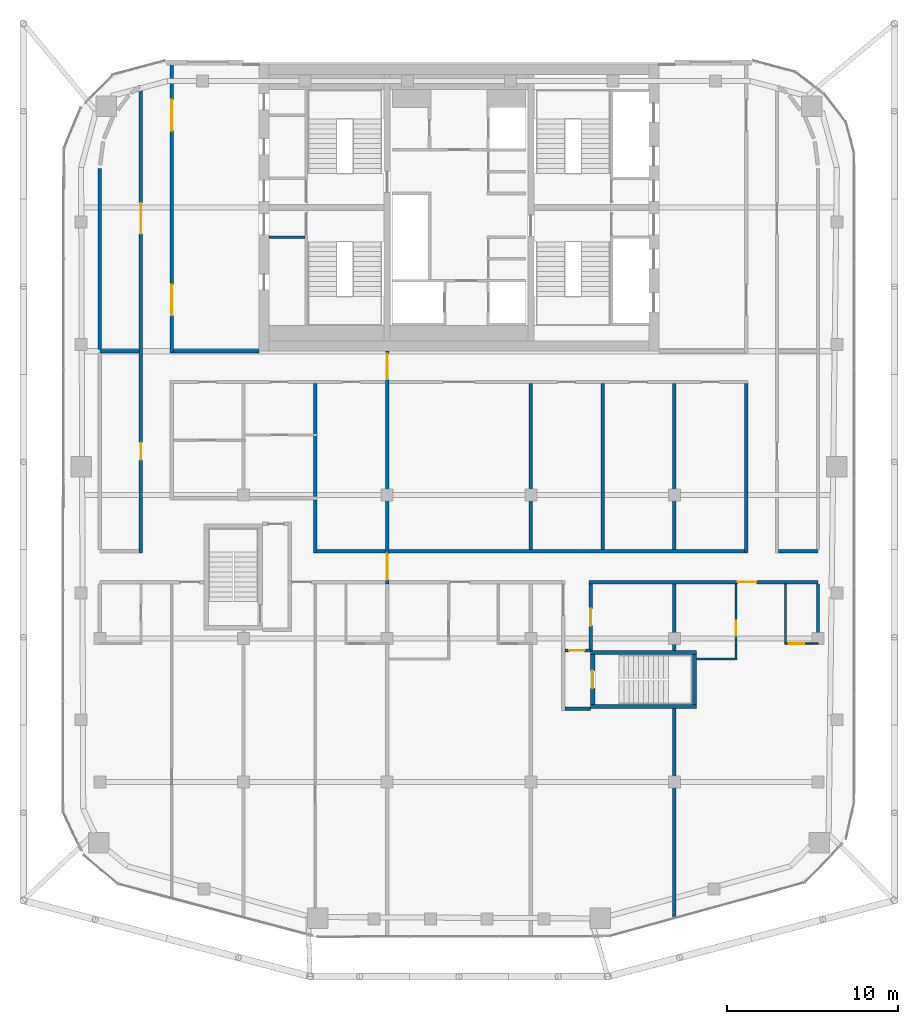
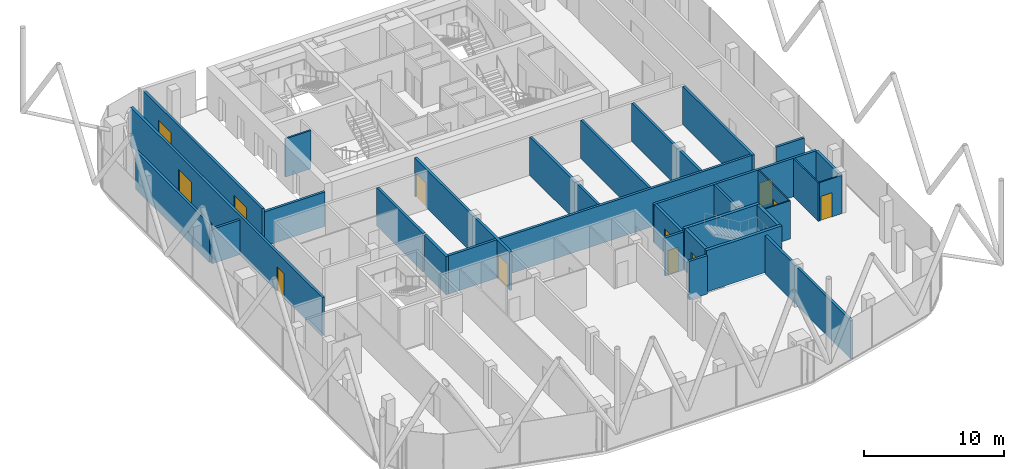
# One storey, part 22 of 27: 30 walls, 12 doors, 12 openings.
"""IFC4 building model written with IfcOpenShell, lengths in metres."""

from ifc_helpers import new_model, si_unit, direction, frame, frame_2d, origin, place, context, subcontext, project, spatial, rectangle, extrude, material, layer, layer_set, type_object, element, fill, save


model = new_model("IFC4")

# Units and contexts
model_context = context("Model", 3, precision=1e-05, world=origin(), true_north=direction((0.0, 1.0)))
body_context = subcontext(model_context, "Body", "Model", "MODEL_VIEW")
ifc_project = project(units=[si_unit("LENGTHUNIT", "METRE"), si_unit("AREAUNIT", "SQUARE_METRE"), si_unit("VOLUMEUNIT", "CUBIC_METRE"), si_unit("PLANEANGLEUNIT", "RADIAN"), si_unit("MASSUNIT", "GRAM", prefix="KILO")], contexts=[model_context])

# Site, building, storey
site_placement = place(None, origin())
site = spatial("IfcSite", under=ifc_project, at=site_placement, CompositionType="ELEMENT")
building_placement = place(site_placement, origin())
building = spatial("IfcBuilding", under=site, at=building_placement, Name="Marenta Gate Hotel Tower", CompositionType="ELEMENT")
storey_placement = place(building_placement, frame((0.0, 0.0, 270.5)))
storey = spatial("IfcBuildingStorey", under=building, at=storey_placement, Name="L62", CompositionType="ELEMENT", Elevation=270.5)

# Wall, openings, doors
ifc_material_1 = material(Name="Concrete blockwork", Category="masonry")
ifc_layer_1 = layer(ifc_material_1, 0.199951171875)
ifc_layer_set_1 = layer_set([ifc_layer_1], Name="Concrete blockwork")
wall_type_1 = type_object("IfcWallType", Name="Compartment wall 200 REI 180", PredefinedType="PARTITIONING", material=ifc_layer_set_1)
wall_1_placement = place(storey_placement, frame((-4.199951171875, -13.60009765625, 0.0), z_axis=(0.0, 0.0, 1.0), x_axis=(0.0, 1.0, 0.0)))
wall_1 = element("IfcWall", 1, at=wall_1_placement, inside=storey, type_object=wall_type_1, Name="L62-PTN-W041", PredefinedType="PARTITIONING", context=body_context, shape_type="SweptSolid", body=[
    extrude(rectangle(XDim=13.60009765625, YDim=0.199951171875, at=frame_2d((6.800048828125, 0.0))), origin(), (0.0, 0.0, 1.0), 3.340087890625),
])
opening_1_placement = place(wall_1_placement, frame((11.949951171875, 0.0, 0.0)))
opening_1 = element("IfcOpeningElement", 2, at=opening_1_placement, cuts=wall_1, Name="Opening G23-FD1", PredefinedType="OPENING", context=body_context, shape_type="SweptSolid", body=[
    extrude(rectangle(XDim=1.5, YDim=2.10009765625, at=frame_2d((0.75, 1.050048828125))), frame((0.0, 0.10009765625, 0.0), z_axis=(0.0, -1.0, 0.0), x_axis=(1.0, 0.0, 0.0)), (0.0, 0.0, 1.0), 0.199951171875),
])
opening_2_placement = place(wall_1_placement, frame((0.25, 0.0, 0.0)))
opening_2 = element("IfcOpeningElement", 3, at=opening_2_placement, cuts=wall_1, Name="Opening G23-FD2", PredefinedType="OPENING", context=body_context, shape_type="SweptSolid", body=[
    extrude(rectangle(XDim=1.5, YDim=2.10009765625, at=frame_2d((0.75, 1.050048828125))), frame((0.0, 0.10009765625, 0.0), z_axis=(0.0, -1.0, 0.0), x_axis=(1.0, 0.0, 0.0)), (0.0, 0.0, 1.0), 0.199951171875),
])
ifc_material_2 = material(Name="Hollow steel door set", Category="steel")
door_type_1 = type_object("IfcDoorType", Name="Compartment fire door 1500x2100 EI 60", OperationType="DOUBLE_DOOR_DOUBLE_SWING", PredefinedType="DOOR", material=ifc_material_2)
door_1_placement = place(opening_1_placement, origin())
door_1 = element("IfcDoor", 4, at=door_1_placement, inside=storey, type_object=door_type_1, Name="L62-PD-FD01", OperationType="DOUBLE_DOOR_DOUBLE_SWING", OverallHeight=2.10009765625, OverallWidth=1.5, PredefinedType="DOOR", context=body_context, shape_type="SweptSolid", body=[
    extrude(rectangle(XDim=1.5, YDim=2.10009765625, at=frame_2d((0.75, 1.050048828125))), frame((0.0, 0.02490234375, 0.0), z_axis=(0.0, -1.0, 0.0), x_axis=(1.0, 0.0, 0.0)), (0.0, 0.0, 1.0), 0.050048828125),
])
fill(opening_1, door_1)
door_2_placement = place(opening_2_placement, origin())
door_2 = element("IfcDoor", 5, at=door_2_placement, inside=storey, type_object=door_type_1, Name="L62-PD-FD02", OperationType="DOUBLE_DOOR_DOUBLE_SWING", OverallHeight=2.10009765625, OverallWidth=1.5, PredefinedType="DOOR", context=body_context, shape_type="SweptSolid", body=[
    extrude(rectangle(XDim=1.5, YDim=2.10009765625, at=frame_2d((0.75, 1.050048828125))), frame((0.0, 0.02490234375, 0.0), z_axis=(0.0, -1.0, 0.0), x_axis=(1.0, 0.0, 0.0)), (0.0, 0.0, 1.0), 0.050048828125),
])
fill(opening_2, door_2)

ifc_material_3 = material(Name="Concrete blockwork", Category="masonry")
ifc_layer_2 = layer(ifc_material_3, 0.199951171875)
ifc_layer_set_2 = layer_set([ifc_layer_2], Name="Concrete blockwork")
wall_type_2 = type_object("IfcWallType", Name="Core boundary wall 200 REI 180", PredefinedType="PARTITIONING", material=ifc_layer_set_2)
wall_2_placement = place(storey_placement, frame((-16.800048828125, -0.10009765625, 0.0), z_axis=(0.0, 0.0, 1.0), x_axis=(0.0, 1.0, 0.0)))
wall_2 = element("IfcWall", 6, at=wall_2_placement, inside=storey, type_object=wall_type_2, Name="L62-CP-BW-W", PredefinedType="PARTITIONING", context=body_context, shape_type="SweptSolid", body=[
    extrude(rectangle(XDim=17.0, YDim=0.199951171875, at=frame_2d((8.5, 0.0))), origin(), (0.0, 0.0, 1.0), 3.340087890625),
])
opening_3_placement = place(wall_2_placement, frame((2.199951171875, 0.0, 0.0)))
opening_3 = element("IfcOpeningElement", 7, at=opening_3_placement, cuts=wall_2, Name="Opening ED-Wa-B", PredefinedType="OPENING", context=body_context, shape_type="SweptSolid", body=[
    extrude(rectangle(XDim=1.800048828125, YDim=2.10009765625, at=frame_2d((0.89990234375, 1.050048828125))), frame((0.0, 0.10009765625, 0.0), z_axis=(0.0, -1.0, 0.0), x_axis=(1.0, 0.0, 0.0)), (0.0, 0.0, 1.0), 0.199951171875),
])
opening_4_placement = place(wall_2_placement, frame((13.0, 0.0, 0.0)))
opening_4 = element("IfcOpeningElement", 8, at=opening_4_placement, cuts=wall_2, Name="Opening ED-Wb-B", PredefinedType="OPENING", context=body_context, shape_type="SweptSolid", body=[
    extrude(rectangle(XDim=1.800048828125, YDim=2.10009765625, at=frame_2d((0.89990234375, 1.050048828125))), frame((0.0, 0.10009765625, 0.0), z_axis=(0.0, -1.0, 0.0), x_axis=(1.0, 0.0, 0.0)), (0.0, 0.0, 1.0), 0.199951171875),
])
ifc_material_4 = material(Name="Steel", Category="steel")
door_type_2 = type_object("IfcDoorType", Name="Core lobby entrance door 1800x2100 EI 60", OperationType="DOUBLE_DOOR_SINGLE_SWING", PredefinedType="DOOR", material=ifc_material_4)
door_3_placement = place(opening_3_placement, origin())
door_3 = element("IfcDoor", 9, at=door_3_placement, inside=storey, type_object=door_type_2, Name="ED-Wa-B", OperationType="DOUBLE_DOOR_SINGLE_SWING", OverallHeight=2.10009765625, OverallWidth=1.800048828125, PredefinedType="DOOR", context=body_context, shape_type="SweptSolid", body=[
    extrude(rectangle(XDim=1.800048828125, YDim=2.10009765625, at=frame_2d((0.89990234375, 1.050048828125))), frame((0.0, 0.02490234375, 0.0), z_axis=(0.0, -1.0, 0.0), x_axis=(1.0, 0.0, 0.0)), (0.0, 0.0, 1.0), 0.050048828125),
])
fill(opening_3, door_3)
door_4_placement = place(opening_4_placement, origin())
door_4 = element("IfcDoor", 10, at=door_4_placement, inside=storey, type_object=door_type_2, Name="ED-Wb-B", OperationType="DOUBLE_DOOR_SINGLE_SWING", OverallHeight=2.10009765625, OverallWidth=1.800048828125, PredefinedType="DOOR", context=body_context, shape_type="SweptSolid", body=[
    extrude(rectangle(XDim=1.800048828125, YDim=2.10009765625, at=frame_2d((0.89990234375, 1.050048828125))), frame((0.0, 0.02490234375, 0.0), z_axis=(0.0, -1.0, 0.0), x_axis=(1.0, 0.0, 0.0)), (0.0, 0.0, 1.0), 0.050048828125),
])
fill(opening_4, door_4)

# Walls
wall_3_placement = place(storey_placement, frame((-16.699951171875, 0.0, 0.0), z_axis=(0.0, 0.0, 1.0), x_axis=(1.0, 0.0, 0.0)))
element("IfcWall", 11, at=wall_3_placement, inside=storey, type_object=wall_type_2, Name="L62-CP-EW-WS", PredefinedType="PARTITIONING", context=body_context, shape_type="SweptSolid", body=[
    extrude(rectangle(XDim=5.0, YDim=0.199951171875, at=frame_2d((2.5, 0.0))), origin(), (0.0, 0.0, 1.0), 3.0),
])
ifc_material_5 = material(Name="Concrete blockwork", Category="masonry")
ifc_layer_3 = layer(ifc_material_5, 0.14990234375)
ifc_layer_set_3 = layer_set([ifc_layer_3], Name="Concrete blockwork")
wall_type_3 = type_object("IfcWallType", Name="Core room partition 150 REI 180", PredefinedType="PARTITIONING", material=ifc_layer_set_3)
wall_4_placement = place(storey_placement, frame((-11.10009765625, 6.675048828125, 0.0), z_axis=(0.0, 0.0, 1.0), x_axis=(1.0, 0.0, 0.0)))
element("IfcWall", 12, at=wall_4_placement, inside=storey, type_object=wall_type_3, Name="L62-CP-SW-WS-2", PredefinedType="PARTITIONING", context=body_context, shape_type="SweptSolid", body=[
    extrude(rectangle(XDim=2.10009765625, YDim=0.14990234375, at=frame_2d((1.050048828125, 0.0))), origin(), (0.0, 0.0, 1.0), 3.340087890625),
])
ifc_material_6 = material(Name="Concrete C40", Category="concrete")
ifc_layer_4 = layer(ifc_material_6, 0.25)
ifc_layer_set_4 = layer_set([ifc_layer_4], Name="Concrete C40")
wall_type_4 = type_object("IfcWallType", Name="Remote stair enclosure wall 250 REI 180", PredefinedType="SHEAR", material=ifc_layer_set_4)
for number, where, z_axis, x_axis, name in (
    (13, (7.699951171875, -20.77490234375, 0.10009765625), (0.0, 0.0, 1.0), (1.0, 0.0, 0.0), "L62-RS-Z4-1-W1"),
    (14, (7.699951171875, -17.625, 0.10009765625), (0.0, 0.0, 1.0), (1.0, 0.0, 0.0), "L62-RS-Z4-1-W2"),
):
    element("IfcWall", number, at=place(storey_placement, frame(where, z_axis=z_axis, x_axis=x_axis)), inside=storey, type_object=wall_type_4, Name=name, PredefinedType="SHEAR", context=body_context, shape_type="SweptSolid", body=[
        extrude(rectangle(XDim=6.199951171875, YDim=0.25, at=frame_2d((3.10009765625, 0.0))), origin(), (0.0, 0.0, 1.0), 3.599853515625),
    ])

# Wall, opening, door
wall_5_placement = place(storey_placement, frame((7.824951171875, -20.64990234375, 0.10009765625), z_axis=(0.0, 0.0, 1.0), x_axis=(0.0, 1.0, 0.0)))
wall_5 = element("IfcWall", 15, at=wall_5_placement, inside=storey, type_object=wall_type_4, Name="L62-RS-Z4-1-W3", PredefinedType="SHEAR", context=body_context, shape_type="SweptSolid", body=[
    extrude(rectangle(XDim=2.89990234375, YDim=0.25, at=frame_2d((1.449951171875, 0.0))), origin(), (0.0, 0.0, 1.0), 3.599853515625),
])
opening_5_placement = place(wall_5_placement, frame((0.949951171875, 0.0, 0.0)))
opening_5 = element("IfcOpeningElement", 16, at=opening_5_placement, cuts=wall_5, Name="Opening VD", PredefinedType="OPENING", context=body_context, shape_type="SweptSolid", body=[
    extrude(rectangle(XDim=1.0, YDim=2.10009765625, at=frame_2d((0.5, 1.050048828125))), frame((0.0, 0.125, 0.0), z_axis=(0.0, -1.0, 0.0), x_axis=(1.0, 0.0, 0.0)), (0.0, 0.0, 1.0), 0.25),
])
ifc_material_7 = material(Name="Steel", Category="steel")
door_type_3 = type_object("IfcDoorType", Name="Stair vestibule door 1000x2100 FD60", OperationType="SINGLE_SWING_LEFT", PredefinedType="DOOR", material=ifc_material_7)
door_5_placement = place(opening_5_placement, origin())
door_5 = element("IfcDoor", 17, at=door_5_placement, inside=storey, type_object=door_type_3, Name="VD", OperationType="SINGLE_SWING_LEFT", OverallHeight=2.10009765625, OverallWidth=1.0, PredefinedType="DOOR", context=body_context, shape_type="SweptSolid", body=[
    extrude(rectangle(XDim=1.0, YDim=2.10009765625, at=frame_2d((0.5, 1.050048828125))), frame((0.0, 0.02490234375, 0.0), z_axis=(0.0, -1.0, 0.0), x_axis=(1.0, 0.0, 0.0)), (0.0, 0.0, 1.0), 0.050048828125),
])
fill(opening_5, door_5)

# Walls
wall_6_placement = place(storey_placement, frame((13.77490234375, -20.64990234375, 0.10009765625), z_axis=(0.0, 0.0, 1.0), x_axis=(0.0, 1.0, 0.0)))
element("IfcWall", 18, at=wall_6_placement, inside=storey, type_object=wall_type_4, Name="L62-RS-Z4-1-W4", PredefinedType="SHEAR", context=body_context, shape_type="SweptSolid", body=[
    extrude(rectangle(XDim=2.89990234375, YDim=0.25, at=frame_2d((1.449951171875, 0.0))), origin(), (0.0, 0.0, 1.0), 3.599853515625),
])
ifc_material_8 = material(Name="Gypsum board on steel stud", Category="steel")
ifc_layer_5 = layer(ifc_material_8, 0.199951171875)
ifc_layer_set_5 = layer_set([ifc_layer_5], Name="Gypsum board on steel stud")
wall_type_5 = type_object("IfcWallType", Name="Room corridor wall 200 EI 60", PredefinedType="PARTITIONING", material=ifc_layer_set_5)
wall_7_placement = place(storey_placement, frame((21.0, -17.050048828125, 0.0), z_axis=(0.0, 0.0, 1.0), x_axis=(0.0, 1.0, 0.0)))
element("IfcWall", 19, at=wall_7_placement, inside=storey, type_object=wall_type_5, Name="L62-PTN-W001", PredefinedType="PARTITIONING", context=body_context, shape_type="SweptSolid", body=[
    extrude(rectangle(XDim=3.449951171875, YDim=0.199951171875, at=frame_2d((1.72509765625, 0.0))), origin(), (0.0, 0.0, 1.0), 3.340087890625),
])
wall_8_placement = place(storey_placement, frame((16.800048828125, -11.800048828125, 0.0), z_axis=(0.0, 0.0, 1.0), x_axis=(0.0, 1.0, 0.0)))
element("IfcWall", 20, at=wall_8_placement, inside=storey, type_object=wall_type_5, Name="L62-PTN-W013", PredefinedType="PARTITIONING", context=body_context, shape_type="SweptSolid", body=[
    extrude(rectangle(XDim=9.900146484375, YDim=0.199951171875, at=frame_2d((4.9501953125, 0.0))), origin(), (0.0, 0.0, 1.0), 3.340087890625),
])

# Wall, opening, door
wall_9_placement = place(storey_placement, frame((7.60009765625, -13.5, 0.0), z_axis=(0.0, 0.0, 1.0), x_axis=(1.0, 0.0, 0.0)))
wall_9 = element("IfcWall", 21, at=wall_9_placement, inside=storey, type_object=wall_type_5, Name="L62-PTN-W018", PredefinedType="PARTITIONING", context=body_context, shape_type="SweptSolid", body=[
    extrude(rectangle(XDim=13.39990234375, YDim=0.199951171875, at=frame_2d((6.699951171875, 0.0))), origin(), (0.0, 0.0, 1.0), 3.340087890625),
])
opening_6_placement = place(wall_9_placement, frame((8.699951171875, 0.0, 0.0)))
opening_6 = element("IfcOpeningElement", 22, at=opening_6_placement, cuts=wall_9, Name="Opening G23-21", PredefinedType="OPENING", context=body_context, shape_type="SweptSolid", body=[
    extrude(rectangle(XDim=1.10009765625, YDim=2.10009765625, at=frame_2d((0.550048828125, 1.050048828125))), frame((0.0, 0.10009765625, 0.0), z_axis=(0.0, -1.0, 0.0), x_axis=(1.0, 0.0, 0.0)), (0.0, 0.0, 1.0), 0.199951171875),
])
ifc_material_9 = material(Name="Timber door leaf", Category="wood")
door_type_4 = type_object("IfcDoorType", Name="Guest room door 1100x2100 EI 30", OperationType="NOTDEFINED", PredefinedType="DOOR", material=ifc_material_9)
door_6_placement = place(opening_6_placement, origin())
door_6 = element("IfcDoor", 23, at=door_6_placement, inside=storey, type_object=door_type_4, Name="L62-PD-D021", OperationType="SINGLE_SWING_RIGHT", OverallHeight=2.10009765625, OverallWidth=1.10009765625, PredefinedType="DOOR", context=body_context, shape_type="SweptSolid", body=[
    extrude(rectangle(XDim=1.10009765625, YDim=2.10009765625, at=frame_2d((0.550048828125, 1.050048828125))), frame((0.0, 0.02490234375, 0.0), z_axis=(0.0, -1.0, 0.0), x_axis=(1.0, 0.0, 0.0)), (0.0, 0.0, 1.0), 0.050048828125),
])
fill(opening_6, door_6)

# Walls
wall_10_placement = place(storey_placement, frame((-8.300048828125, -11.699951171875, 0.0), z_axis=(0.0, 0.0, 1.0), x_axis=(1.0, 0.0, 0.0)))
element("IfcWall", 24, at=wall_10_placement, inside=storey, type_object=wall_type_5, Name="L62-PTN-W023", PredefinedType="PARTITIONING", context=body_context, shape_type="SweptSolid", body=[
    extrude(rectangle(XDim=25.0, YDim=0.199951171875, at=frame_2d((12.5, 0.0))), origin(), (0.0, 0.0, 1.0), 3.340087890625),
])
wall_11_placement = place(storey_placement, frame((18.699951171875, -11.699951171875, 0.0), z_axis=(0.0, 0.0, 1.0), x_axis=(1.0, 0.0, 0.0)))
element("IfcWall", 25, at=wall_11_placement, inside=storey, type_object=wall_type_5, Name="L62-PTN-W024", PredefinedType="PARTITIONING", context=body_context, shape_type="SweptSolid", body=[
    extrude(rectangle(XDim=2.300048828125, YDim=0.199951171875, at=frame_2d((1.14990234375, 0.0))), origin(), (0.0, 0.0, 1.0), 3.340087890625),
])

# Wall, opening, door
wall_12_placement = place(storey_placement, frame((7.699951171875, -17.5, 0.0), z_axis=(0.0, 0.0, 1.0), x_axis=(0.0, 1.0, 0.0)))
wall_12 = element("IfcWall", 26, at=wall_12_placement, inside=storey, type_object=wall_type_5, Name="L62-PTN-W028", PredefinedType="PARTITIONING", context=body_context, shape_type="SweptSolid", body=[
    extrude(rectangle(XDim=3.89990234375, YDim=0.199951171875, at=frame_2d((1.949951171875, 0.0))), origin(), (0.0, 0.0, 1.0), 3.340087890625),
])
opening_7_placement = place(wall_12_placement, frame((1.449951171875, 0.0, 0.0)))
opening_7 = element("IfcOpeningElement", 27, at=opening_7_placement, cuts=wall_12, Name="Opening G23-29", PredefinedType="OPENING", context=body_context, shape_type="SweptSolid", body=[
    extrude(rectangle(XDim=1.0, YDim=2.10009765625, at=frame_2d((0.5, 1.050048828125))), frame((0.0, 0.10009765625, 0.0), z_axis=(0.0, -1.0, 0.0), x_axis=(1.0, 0.0, 0.0)), (0.0, 0.0, 1.0), 0.199951171875),
])
ifc_material_10 = material(Name="Timber door leaf", Category="wood")
door_type_5 = type_object("IfcDoorType", Name="Room amenity door 1000x2100 EI 30", OperationType="NOTDEFINED", PredefinedType="DOOR", material=ifc_material_10)
door_7_placement = place(opening_7_placement, origin())
door_7 = element("IfcDoor", 28, at=door_7_placement, inside=storey, type_object=door_type_5, Name="L62-PD-D029", OperationType="SINGLE_SWING_LEFT", OverallHeight=2.10009765625, OverallWidth=1.0, PredefinedType="DOOR", context=body_context, shape_type="SweptSolid", body=[
    extrude(rectangle(XDim=1.0, YDim=2.10009765625, at=frame_2d((0.5, 1.050048828125))), frame((0.0, 0.02490234375, 0.0), z_axis=(0.0, -1.0, 0.0), x_axis=(1.0, 0.0, 0.0)), (0.0, 0.0, 1.0), 0.050048828125),
])
fill(opening_7, door_7)

# Wall
wall_13_placement = place(storey_placement, frame((-8.39990234375, -11.800048828125, 0.0), z_axis=(0.0, 0.0, 1.0), x_axis=(0.0, 1.0, 0.0)))
element("IfcWall", 29, at=wall_13_placement, inside=storey, type_object=wall_type_5, Name="L62-PTN-W044", PredefinedType="PARTITIONING", context=body_context, shape_type="SweptSolid", body=[
    extrude(rectangle(XDim=3.10009765625, YDim=0.199951171875, at=frame_2d((1.550048828125, 0.0))), origin(), (0.0, 0.0, 1.0), 3.340087890625),
])

# Wall, openings, doors
wall_14_placement = place(storey_placement, frame((-18.60009765625, -11.800048828125, 0.0), z_axis=(0.0, 0.0, 1.0), x_axis=(0.0, 1.0, 0.0)))
wall_14 = element("IfcWall", 30, at=wall_14_placement, inside=storey, type_object=wall_type_5, Name="L62-PTN-W053", PredefinedType="PARTITIONING", context=body_context, shape_type="SweptSolid", body=[
    extrude(rectangle(XDim=27.3359375, YDim=0.199951171875, at=frame_2d((13.66796875, 0.0))), origin(), (0.0, 0.0, 1.0), 3.340087890625),
])
opening_8_placement = place(wall_14_placement, frame((18.66796875, 0.0, 0.0)))
opening_8 = element("IfcOpeningElement", 31, at=opening_8_placement, cuts=wall_14, Name="Opening G23-24", PredefinedType="OPENING", context=body_context, shape_type="SweptSolid", body=[
    extrude(rectangle(XDim=1.800048828125, YDim=2.10009765625, at=frame_2d((0.89990234375, 1.050048828125))), frame((0.0, 0.10009765625, 0.0), z_axis=(0.0, -1.0, 0.0), x_axis=(1.0, 0.0, 0.0)), (0.0, 0.0, 1.0), 0.199951171875),
])
opening_9_placement = place(wall_14_placement, frame((5.449951171875, 0.0, 0.0)))
opening_9 = element("IfcOpeningElement", 32, at=opening_9_placement, cuts=wall_14, Name="Opening G23-27", PredefinedType="OPENING", context=body_context, shape_type="SweptSolid", body=[
    extrude(rectangle(XDim=1.0, YDim=2.10009765625, at=frame_2d((0.5, 1.050048828125))), frame((0.0, 0.10009765625, 0.0), z_axis=(0.0, -1.0, 0.0), x_axis=(1.0, 0.0, 0.0)), (0.0, 0.0, 1.0), 0.199951171875),
])
door_8_placement = place(opening_9_placement, origin())
door_8 = element("IfcDoor", 33, at=door_8_placement, inside=storey, type_object=door_type_5, Name="L62-PD-D027", OperationType="SINGLE_SWING_LEFT", OverallHeight=2.10009765625, OverallWidth=1.0, PredefinedType="DOOR", context=body_context, shape_type="SweptSolid", body=[
    extrude(rectangle(XDim=1.0, YDim=2.10009765625, at=frame_2d((0.5, 1.050048828125))), frame((0.0, 0.02490234375, 0.0), z_axis=(0.0, -1.0, 0.0), x_axis=(1.0, 0.0, 0.0)), (0.0, 0.0, 1.0), 0.050048828125),
])
fill(opening_9, door_8)
ifc_material_11 = material(Name="Timber door leaf", Category="wood")
door_type_6 = type_object("IfcDoorType", Name="Room amenity door 1800x2100 EI 30", OperationType="DOUBLE_DOOR_SINGLE_SWING", PredefinedType="DOOR", material=ifc_material_11)
door_9_placement = place(opening_8_placement, origin())
door_9 = element("IfcDoor", 34, at=door_9_placement, inside=storey, type_object=door_type_6, Name="L62-PD-D024", OperationType="DOUBLE_DOOR_SINGLE_SWING", OverallHeight=2.10009765625, OverallWidth=1.800048828125, PredefinedType="DOOR", context=body_context, shape_type="SweptSolid", body=[
    extrude(rectangle(XDim=1.800048828125, YDim=2.10009765625, at=frame_2d((0.89990234375, 1.050048828125))), frame((0.0, 0.02490234375, 0.0), z_axis=(0.0, -1.0, 0.0), x_axis=(1.0, 0.0, 0.0)), (0.0, 0.0, 1.0), 0.050048828125),
])
fill(opening_8, door_9)

# Wall, opening, door
ifc_material_12 = material(Name="Concrete blockwork", Category="masonry")
ifc_layer_6 = layer(ifc_material_12, 0.199951171875)
ifc_layer_set_6 = layer_set([ifc_layer_6], Name="Concrete blockwork")
wall_type_6 = type_object("IfcWallType", Name="Room corridor wall 200 REI 180", PredefinedType="PARTITIONING", material=ifc_layer_set_6)
wall_15_placement = place(storey_placement, frame((6.199951171875, -17.5, 0.0), z_axis=(0.0, 0.0, 1.0), x_axis=(1.0, 0.0, 0.0)))
wall_15 = element("IfcWall", 35, at=wall_15_placement, inside=storey, type_object=wall_type_6, Name="L62-PTN-W008", PredefinedType="PARTITIONING", context=body_context, shape_type="SweptSolid", body=[
    extrude(rectangle(XDim=1.5, YDim=0.199951171875, at=frame_2d((0.75, 0.0))), origin(), (0.0, 0.0, 1.0), 3.340087890625),
])
opening_10_placement = place(wall_15_placement, frame((0.25, 0.0, 0.0)))
opening_10 = element("IfcOpeningElement", 36, at=opening_10_placement, cuts=wall_15, Name="Opening G23-25", PredefinedType="OPENING", context=body_context, shape_type="SweptSolid", body=[
    extrude(rectangle(XDim=0.89990234375, YDim=2.10009765625, at=frame_2d((0.449951171875, 1.050048828125))), frame((0.0, 0.10009765625, 0.0), z_axis=(0.0, -1.0, 0.0), x_axis=(1.0, 0.0, 0.0)), (0.0, 0.0, 1.0), 0.199951171875),
])
ifc_material_13 = material(Name="Hollow steel door set", Category="steel")
door_type_7 = type_object("IfcDoorType", Name="Stair vestibule door 900x2100 EI 60", OperationType="NOTDEFINED", PredefinedType="DOOR", material=ifc_material_13)
door_10_placement = place(opening_10_placement, origin())
door_10 = element("IfcDoor", 37, at=door_10_placement, inside=storey, type_object=door_type_7, Name="L62-PD-D025", OperationType="SINGLE_SWING_LEFT", OverallHeight=2.10009765625, OverallWidth=0.89990234375, PredefinedType="DOOR", context=body_context, shape_type="SweptSolid", body=[
    extrude(rectangle(XDim=0.89990234375, YDim=2.10009765625, at=frame_2d((0.449951171875, 1.050048828125))), frame((0.0, 0.02490234375, 0.0), z_axis=(0.0, -1.0, 0.0), x_axis=(1.0, 0.0, 0.0)), (0.0, 0.0, 1.0), 0.050048828125),
])
fill(opening_10, door_10)

# Walls
ifc_material_14 = material(Name="Gypsum board on steel stud", Category="steel")
ifc_layer_7 = layer(ifc_material_14, 0.10009765625)
ifc_layer_set_7 = layer_set([ifc_layer_7], Name="Gypsum board on steel stud")
wall_type_7 = type_object("IfcWallType", Name="Room partition 100", PredefinedType="PARTITIONING", material=ifc_layer_set_7)
wall_16_placement = place(storey_placement, frame((19.10009765625, -17.14990234375, 0.0), z_axis=(0.0, 0.0, 1.0), x_axis=(0.0, 1.0, 0.0)))
element("IfcWall", 38, at=wall_16_placement, inside=storey, type_object=wall_type_7, Name="L62-PTN-W004", PredefinedType="PARTITIONING", context=body_context, shape_type="SweptSolid", body=[
    extrude(rectangle(XDim=3.5498046875, YDim=0.10009765625, at=frame_2d((1.77490234375, 0.0))), origin(), (0.0, 0.0, 1.0), 3.340087890625),
])
wall_17_placement = place(storey_placement, frame((13.89990234375, -18.0, 0.0), z_axis=(0.0, 0.0, 1.0), x_axis=(1.0, 0.0, 0.0)))
element("IfcWall", 39, at=wall_17_placement, inside=storey, type_object=wall_type_7, Name="L62-PTN-W007", PredefinedType="PARTITIONING", context=body_context, shape_type="SweptSolid", body=[
    extrude(rectangle(XDim=2.35009765625, YDim=0.10009765625, at=frame_2d((1.175048828125, 0.0))), origin(), (0.0, 0.0, 1.0), 3.340087890625),
])

# Wall, opening, door
wall_18_placement = place(storey_placement, frame((19.14990234375, -17.10009765625, 0.0), z_axis=(0.0, 0.0, 1.0), x_axis=(1.0, 0.0, 0.0)))
wall_18 = element("IfcWall", 40, at=wall_18_placement, inside=storey, type_object=wall_type_7, Name="L62-PTN-W012", PredefinedType="PARTITIONING", context=body_context, shape_type="SweptSolid", body=[
    extrude(rectangle(XDim=1.85009765625, YDim=0.10009765625, at=frame_2d((0.925048828125, 0.0))), origin(), (0.0, 0.0, 1.0), 3.340087890625),
])
opening_11_placement = place(wall_18_placement, frame((0.14990234375, 0.0, 0.0)))
opening_11 = element("IfcOpeningElement", 41, at=opening_11_placement, cuts=wall_18, Name="Opening G23-23", PredefinedType="OPENING", context=body_context, shape_type="SweptSolid", body=[
    extrude(rectangle(XDim=0.89990234375, YDim=2.10009765625, at=frame_2d((0.449951171875, 1.050048828125))), frame((0.0, 0.050048828125, 0.0), z_axis=(0.0, -1.0, 0.0), x_axis=(1.0, 0.0, 0.0)), (0.0, 0.0, 1.0), 0.10009765625),
])
ifc_material_15 = material(Name="Timber door leaf", Category="wood")
door_type_8 = type_object("IfcDoorType", Name="Room inner door 900x2100", OperationType="NOTDEFINED", PredefinedType="DOOR", material=ifc_material_15)
door_11_placement = place(opening_11_placement, origin())
door_11 = element("IfcDoor", 42, at=door_11_placement, inside=storey, type_object=door_type_8, Name="L62-PD-D023", OperationType="SINGLE_SWING_LEFT", OverallHeight=2.10009765625, OverallWidth=0.89990234375, PredefinedType="DOOR", context=body_context, shape_type="SweptSolid", body=[
    extrude(rectangle(XDim=0.89990234375, YDim=2.10009765625, at=frame_2d((0.449951171875, 1.050048828125))), frame((0.0, 0.02490234375, 0.0), z_axis=(0.0, -1.0, 0.0), x_axis=(1.0, 0.0, 0.0)), (0.0, 0.0, 1.0), 0.050048828125),
])
fill(opening_11, door_11)

wall_19_placement = place(storey_placement, frame((16.199951171875, -17.949951171875, 0.0), z_axis=(0.0, 0.0, 1.0), x_axis=(0.0, 1.0, 0.0)))
wall_19 = element("IfcWall", 43, at=wall_19_placement, inside=storey, type_object=wall_type_7, Name="L62-PTN-W015", PredefinedType="PARTITIONING", context=body_context, shape_type="SweptSolid", body=[
    extrude(rectangle(XDim=4.349853515625, YDim=0.10009765625, at=frame_2d((2.1748046875, 0.0))), origin(), (0.0, 0.0, 1.0), 3.340087890625),
])
opening_12_placement = place(wall_19_placement, frame((1.300048828125, 0.0, 0.0)))
opening_12 = element("IfcOpeningElement", 44, at=opening_12_placement, cuts=wall_19, Name="Opening G23-22", PredefinedType="OPENING", context=body_context, shape_type="SweptSolid", body=[
    extrude(rectangle(XDim=0.89990234375, YDim=2.10009765625, at=frame_2d((0.449951171875, 1.050048828125))), frame((0.0, 0.050048828125, 0.0), z_axis=(0.0, -1.0, 0.0), x_axis=(1.0, 0.0, 0.0)), (0.0, 0.0, 1.0), 0.10009765625),
])
ifc_material_16 = material(Name="Timber door leaf", Category="wood")
door_type_9 = type_object("IfcDoorType", Name="Guest bathroom door 900x2100", OperationType="NOTDEFINED", PredefinedType="DOOR", material=ifc_material_16)
door_12_placement = place(opening_12_placement, origin())
door_12 = element("IfcDoor", 45, at=door_12_placement, inside=storey, type_object=door_type_9, Name="L62-PD-D022", OperationType="SINGLE_SWING_LEFT", OverallHeight=2.10009765625, OverallWidth=0.89990234375, PredefinedType="DOOR", context=body_context, shape_type="SweptSolid", body=[
    extrude(rectangle(XDim=0.89990234375, YDim=2.10009765625, at=frame_2d((0.449951171875, 1.050048828125))), frame((0.0, 0.02490234375, 0.0), z_axis=(0.0, -1.0, 0.0), x_axis=(1.0, 0.0, 0.0)), (0.0, 0.0, 1.0), 0.050048828125),
])
fill(opening_12, door_12)

# Walls
ifc_material_17 = material(Name="Concrete blockwork", Category="masonry")
ifc_layer_8 = layer(ifc_material_17, 0.199951171875)
ifc_layer_set_8 = layer_set([ifc_layer_8], Name="Concrete blockwork")
wall_type_8 = type_object("IfcWallType", Name="Room party wall 200 EI 120", PredefinedType="PARTITIONING", material=ifc_layer_set_8)
wall_20_placement = place(storey_placement, frame((-8.39990234375, -8.5, 0.0), z_axis=(0.0, 0.0, 1.0), x_axis=(0.0, 1.0, 0.0)))
element("IfcWall", 46, at=wall_20_placement, inside=storey, type_object=wall_type_8, Name="L62-PTN-W045", PredefinedType="PARTITIONING", context=body_context, shape_type="SweptSolid", body=[
    extrude(rectangle(XDim=6.60009765625, YDim=0.199951171875, at=frame_2d((3.300048828125, 0.0))), origin(), (0.0, 0.0, 1.0), 3.340087890625),
])
ifc_material_18 = material(Name="Gypsum board on steel stud", Category="steel")
ifc_layer_9 = layer(ifc_material_18, 0.199951171875)
ifc_layer_set_9 = layer_set([ifc_layer_9], Name="Gypsum board on steel stud")
wall_type_9 = type_object("IfcWallType", Name="Room party wall 200 EI 60", PredefinedType="PARTITIONING", material=ifc_layer_set_9)
wall_21_placement = place(storey_placement, frame((12.60009765625, -33.1298828125, 0.0), z_axis=(0.0, 0.0, 1.0), x_axis=(0.0, 1.0, 0.0)))
element("IfcWall", 47, at=wall_21_placement, inside=storey, type_object=wall_type_9, Name="L62-PTN-W019", PredefinedType="PARTITIONING", context=body_context, shape_type="SweptSolid", body=[
    extrude(rectangle(XDim=12.22998046875, YDim=0.199951171875, at=frame_2d((6.114990234375, 0.0))), origin(), (0.0, 0.0, 1.0), 3.340087890625),
])
wall_22_placement = place(storey_placement, frame((12.60009765625, -17.5, 0.0), z_axis=(0.0, 0.0, 1.0), x_axis=(0.0, 1.0, 0.0)))
element("IfcWall", 48, at=wall_22_placement, inside=storey, type_object=wall_type_9, Name="L62-PTN-W020", PredefinedType="PARTITIONING", context=body_context, shape_type="SweptSolid", body=[
    extrude(rectangle(XDim=3.89990234375, YDim=0.199951171875, at=frame_2d((1.949951171875, 0.0))), origin(), (0.0, 0.0, 1.0), 3.340087890625),
])
for number, where, z_axis, x_axis, name in (
    (49, (12.60009765625, -11.60009765625, 0.0), (0.0, 0.0, 1.0), (0.0, 1.0, 0.0), "L62-PTN-W021"),
    (50, (8.39990234375, -11.60009765625, 0.0), (0.0, 0.0, 1.0), (0.0, 1.0, 0.0), "L62-PTN-W027"),
    (51, (4.199951171875, -11.60009765625, 0.0), (0.0, 0.0, 1.0), (0.0, 1.0, 0.0), "L62-PTN-W034"),
):
    element("IfcWall", number, at=place(storey_placement, frame(where, z_axis=z_axis, x_axis=x_axis)), inside=storey, type_object=wall_type_9, Name=name, PredefinedType="PARTITIONING", context=body_context, shape_type="SweptSolid", body=[
        extrude(rectangle(XDim=9.7001953125, YDim=0.199951171875, at=frame_2d((4.85009765625, 0.0))), origin(), (0.0, 0.0, 1.0), 3.340087890625),
    ])
wall_23_placement = place(storey_placement, frame((-21.0, 0.0, 0.0), z_axis=(0.0, 0.0, 1.0), x_axis=(1.0, 0.0, 0.0)))
element("IfcWall", 52, at=wall_23_placement, inside=storey, type_object=wall_type_9, Name="L62-PTN-W037", PredefinedType="PARTITIONING", context=body_context, shape_type="SweptSolid", body=[
    extrude(rectangle(XDim=2.300048828125, YDim=0.199951171875, at=frame_2d((1.14990234375, 0.0))), origin(), (0.0, 0.0, 1.0), 3.0),
])
wall_24_placement = place(storey_placement, frame((-21.0, 0.10009765625, 0.0), z_axis=(0.0, 0.0, 1.0), x_axis=(0.0, 1.0, 0.0)))
element("IfcWall", 53, at=wall_24_placement, inside=storey, type_object=wall_type_9, Name="L62-PTN-W056", PredefinedType="PARTITIONING", context=body_context, shape_type="SweptSolid", body=[
    extrude(rectangle(XDim=10.601806640625, YDim=0.199951171875, at=frame_2d((5.30078125, 0.0))), origin(), (0.0, 0.0, 1.0), 3.340087890625),
])
ifc_material_19 = material(Name="Concrete blockwork", Category="masonry")
ifc_layer_10 = layer(ifc_material_19, 0.199951171875)
ifc_layer_set_10 = layer_set([ifc_layer_10], Name="Concrete blockwork")
wall_type_10 = type_object("IfcWallType", Name="Room party wall 200 REI 180", PredefinedType="PARTITIONING", material=ifc_layer_set_10)
wall_25_placement = place(storey_placement, frame((6.199951171875, -20.89990234375, 0.0), z_axis=(0.0, 0.0, 1.0), x_axis=(1.0, 0.0, 0.0)))
element("IfcWall", 54, at=wall_25_placement, inside=storey, type_object=wall_type_10, Name="L62-PTN-W003", PredefinedType="PARTITIONING", context=body_context, shape_type="SweptSolid", body=[
    extrude(rectangle(XDim=1.5, YDim=0.199951171875, at=frame_2d((0.75, 0.0))), origin(), (0.0, 0.0, 1.0), 3.340087890625),
])

save(model, "model.ifc")
